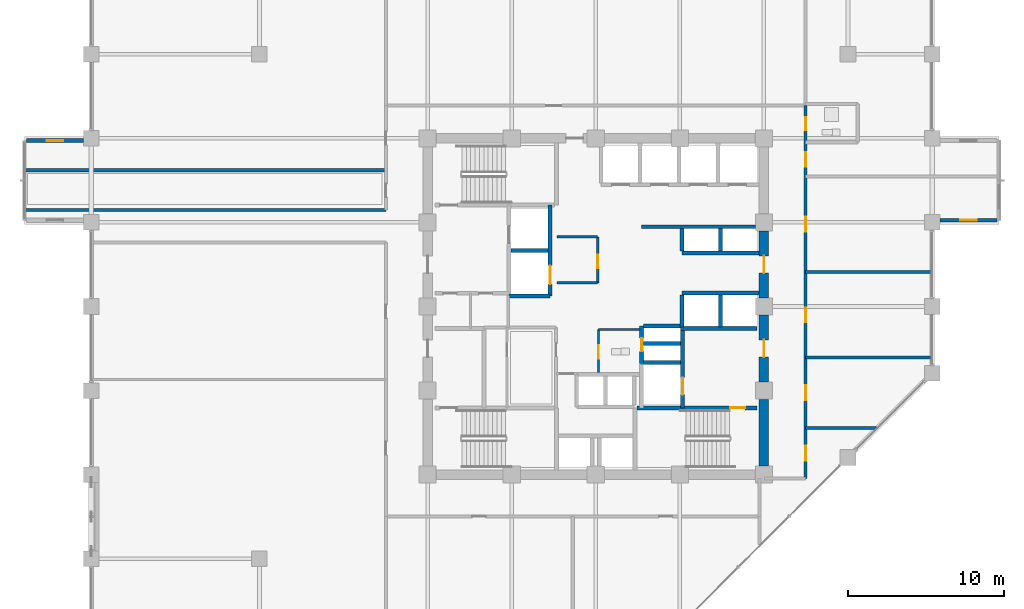
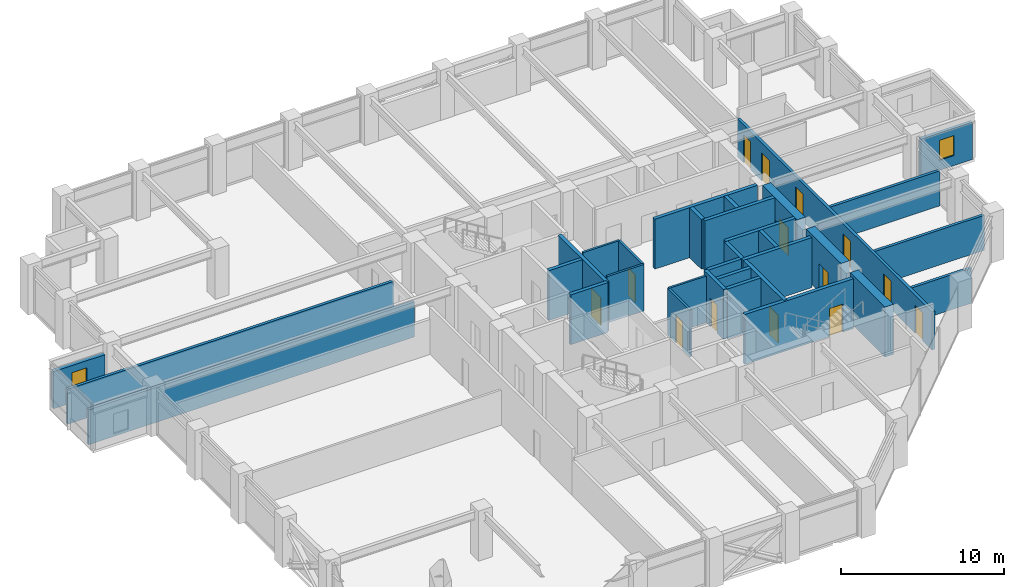
# One storey, part 23 of 29: 33 walls, 14 doors, 2 windows, 16 openings.
"""IFC4 building model written with IfcOpenShell, lengths in metres."""

from ifc_helpers import new_model, si_unit, direction, frame, frame_2d, origin, place, context, subcontext, project, spatial, rectangle, extrude, material, layer, layer_set, type_object, element, fill, save


model = new_model("IFC4")

# Units and contexts
model_context = context("Model", 3, precision=1e-05, world=origin(), true_north=direction((0.0, 1.0)))
body_context = subcontext(model_context, "Body", "Model", "MODEL_VIEW")
ifc_project = project(units=[si_unit("LENGTHUNIT", "METRE"), si_unit("AREAUNIT", "SQUARE_METRE"), si_unit("VOLUMEUNIT", "CUBIC_METRE"), si_unit("PLANEANGLEUNIT", "RADIAN"), si_unit("MASSUNIT", "GRAM", prefix="KILO")], contexts=[model_context])

# Site, building, storey
site_placement = place(None, origin())
site = spatial("IfcSite", under=ifc_project, at=site_placement, CompositionType="ELEMENT")
building_placement = place(site_placement, origin())
building = spatial("IfcBuilding", under=site, at=building_placement, Name="Surkhivell Harbour Commons", CompositionType="ELEMENT")
storey_placement = place(building_placement, frame((0.0, 0.0, 158.25)))
storey = spatial("IfcBuildingStorey", under=building, at=storey_placement, Name="L41", CompositionType="ELEMENT", Elevation=158.25)

# Wall
ifc_material_1 = material(Name="Concrete C60/75", Category="concrete")
ifc_layer_1 = layer(ifc_material_1, 0.60009765625)
ifc_layer_set_1 = layer_set([ifc_layer_1], Name="Concrete C60/75")
wall_type_1 = type_object("IfcWallType", Name="WAL-CORE-600", PredefinedType="SHEAR", material=ifc_layer_set_1)
wall_1_placement = place(storey_placement, frame((10.800048828125, -10.239990234375, 0.0), z_axis=(0.0, 0.0, 1.0), x_axis=(0.0, 1.0, 0.0)))
element("IfcWall", 1, at=wall_1_placement, inside=storey, type_object=wall_type_1, Name="L41 Core Shear Wall East 1", PredefinedType="SHEAR", context=body_context, shape_type="SweptSolid", body=[
    extrude(rectangle(XDim=4.280029296875, YDim=0.60009765625, at=frame_2d((2.14013671875, 0.0))), origin(), (0.0, 0.0, 1.0), 3.75),
])

# Wall, opening, door
wall_2_placement = place(storey_placement, frame((10.800048828125, -4.840087890625, 0.0), z_axis=(0.0, 0.0, 1.0), x_axis=(0.0, 1.0, 0.0)))
wall_2 = element("IfcWall", 2, at=wall_2_placement, inside=storey, type_object=wall_type_1, Name="L41 Core Shear Wall East 2", PredefinedType="SHEAR", context=body_context, shape_type="SweptSolid", body=[
    extrude(rectangle(XDim=4.280029296875, YDim=0.60009765625, at=frame_2d((2.14013671875, 0.0))), origin(), (0.0, 0.0, 1.0), 3.75),
])
opening_1_placement = place(wall_2_placement, frame((1.590087890625, 0.0, 0.0)))
opening_1 = element("IfcOpeningElement", 3, at=opening_1_placement, cuts=wall_2, Name="Opening ID-1", PredefinedType="OPENING", context=body_context, shape_type="SweptSolid", body=[
    extrude(rectangle(XDim=1.10009765625, YDim=2.10009765625, at=frame_2d((0.550048828125, 1.050048828125))), frame((0.0, 0.31005859375, 0.0), z_axis=(0.0, -1.0, 0.0), x_axis=(1.0, 0.0, 0.0)), (0.0, 0.0, 1.0), 0.6201171875),
])
ifc_material_2 = material(Name="Hardwood-veneered fire-rated door leaf", Category="wood")
door_type_1 = type_object("IfcDoorType", Name="DOR-FD120-1100", OperationType="NOTDEFINED", PredefinedType="DOOR", material=ifc_material_2)
door_1_placement = place(opening_1_placement, origin())
door_1 = element("IfcDoor", 4, at=door_1_placement, inside=storey, type_object=door_type_1, Name="L41 Firefighting Lobby 2 Corridor Door", OperationType="SINGLE_SWING_RIGHT", OverallHeight=2.10009765625, OverallWidth=1.10009765625, PredefinedType="DOOR", context=body_context, shape_type="SweptSolid", body=[
    extrude(rectangle(XDim=1.10009765625, YDim=2.10009765625, at=frame_2d((0.550048828125, 1.050048828125))), frame((0.0, 0.02490234375, 0.0), z_axis=(0.0, -1.0, 0.0), x_axis=(1.0, 0.0, 0.0)), (0.0, 0.0, 1.0), 0.050048828125),
])
fill(opening_1, door_1)

wall_3_placement = place(storey_placement, frame((10.800048828125, 0.56005859375, 0.0), z_axis=(0.0, 0.0, 1.0), x_axis=(0.0, 1.0, 0.0)))
wall_3 = element("IfcWall", 5, at=wall_3_placement, inside=storey, type_object=wall_type_1, Name="L41 Core Shear Wall East 3", PredefinedType="SHEAR", context=body_context, shape_type="SweptSolid", body=[
    extrude(rectangle(XDim=4.280029296875, YDim=0.60009765625, at=frame_2d((2.14013671875, 0.0))), origin(), (0.0, 0.0, 1.0), 3.75),
])
opening_2_placement = place(wall_3_placement, frame((1.590087890625, 0.0, 0.0)))
opening_2 = element("IfcOpeningElement", 6, at=opening_2_placement, cuts=wall_3, Name="Opening ID-2", PredefinedType="OPENING", context=body_context, shape_type="SweptSolid", body=[
    extrude(rectangle(XDim=1.10009765625, YDim=2.10009765625, at=frame_2d((0.550048828125, 1.050048828125))), frame((0.0, 0.31005859375, 0.0), z_axis=(0.0, -1.0, 0.0), x_axis=(1.0, 0.0, 0.0)), (0.0, 0.0, 1.0), 0.6201171875),
])
door_type_2 = type_object("IfcDoorType", Name="DOR-FD60-1100", OperationType="NOTDEFINED", PredefinedType="DOOR", material=ifc_material_2)
door_2_placement = place(opening_2_placement, origin())
door_2 = element("IfcDoor", 7, at=door_2_placement, inside=storey, type_object=door_type_2, Name="L41 Mid-Rise Lobby East Door", OperationType="SINGLE_SWING_LEFT", OverallHeight=2.10009765625, OverallWidth=1.10009765625, PredefinedType="DOOR", context=body_context, shape_type="SweptSolid", body=[
    extrude(rectangle(XDim=1.10009765625, YDim=2.10009765625, at=frame_2d((0.550048828125, 1.050048828125))), frame((0.0, 0.02490234375, 0.0), z_axis=(0.0, -1.0, 0.0), x_axis=(1.0, 0.0, 0.0)), (0.0, 0.0, 1.0), 0.050048828125),
])
fill(opening_2, door_2)

# Wall, opening, window
ifc_material_3 = material(Name="Bronze-ochre cassette precast concrete C45/55", Category="concrete")
ifc_layer_2 = layer(ifc_material_3, 0.239990234375)
ifc_layer_set_2 = layer_set([ifc_layer_2], Name="Bronze-ochre cassette precast concrete C45/55")
wall_type_2 = type_object("IfcWallType", Name="WAL-EXT-OCH240", PredefinedType="STANDARD", material=ifc_layer_set_2)
wall_4_placement = place(storey_placement, frame((22.10400390625, 5.5400390625, 0.0), z_axis=(0.0, 0.0, 1.0), x_axis=(1.0, 0.0, 0.0)))
wall_4 = element("IfcWall", 8, at=wall_4_placement, inside=storey, type_object=wall_type_2, Name="L41 Coloured Box Return Wall 01S", PredefinedType="STANDARD", context=body_context, shape_type="SweptSolid", body=[
    extrude(rectangle(XDim=3.656005859375, YDim=0.239990234375, at=frame_2d((1.828125, 0.0))), origin(), (0.0, 0.0, 1.0), 2.787109375),
])
opening_3_placement = place(wall_4_placement, frame((1.302978515625, 0.0, 0.75)))
opening_3 = element("IfcOpeningElement", 9, at=opening_3_placement, cuts=wall_4, Name="Opening WN-11", PredefinedType="OPENING", context=body_context, shape_type="SweptSolid", body=[
    extrude(rectangle(XDim=1.050048828125, YDim=1.5, at=frame_2d((0.52490234375, 0.75))), frame((0.0, 0.1298828125, 0.0), z_axis=(0.0, -1.0, 0.0), x_axis=(1.0, 0.0, 0.0)), (0.0, 0.0, 1.0), 0.260009765625),
])
ifc_material_4 = material(Name="Thermal-break aluminium frame and double low-E glazing", Category="aluminium")
window_type = type_object("IfcWindowType", Name="WIN-SER-1050x1500", PartitioningType="SINGLE_PANEL", PredefinedType="WINDOW", material=ifc_material_4)
window_1_placement = place(opening_3_placement, origin())
window_1 = element("IfcWindow", 10, at=window_1_placement, inside=storey, type_object=window_type, Name="L41 Coloured Box Return Window 01S", OverallHeight=1.5, OverallWidth=1.050048828125, PartitioningType="SINGLE_PANEL", PredefinedType="WINDOW", context=body_context, shape_type="SweptSolid", body=[
    extrude(rectangle(XDim=1.050048828125, YDim=1.5, at=frame_2d((0.52490234375, 0.75))), frame((0.0, 0.030029296875, 0.0), z_axis=(0.0, -1.0, 0.0), x_axis=(1.0, 0.0, 0.0)), (0.0, 0.0, 1.0), 0.06005859375),
])
fill(opening_3, window_1)

ifc_material_5 = material(Name="Terracotta-clad reinforced concrete C45/55", Category="masonry")
ifc_layer_3 = layer(ifc_material_5, 0.280029296875)
ifc_layer_set_3 = layer_set([ifc_layer_3], Name="Terracotta-clad reinforced concrete C45/55")
wall_type_3 = type_object("IfcWallType", Name="WAL-EXT-TER280", PredefinedType="STANDARD", material=ifc_layer_set_3)
wall_5_placement = place(storey_placement, frame((-36.56005859375, 10.659912109375, 0.0), z_axis=(0.0, 0.0, 1.0), x_axis=(1.0, 0.0, 0.0)))
wall_5 = element("IfcWall", 11, at=wall_5_placement, inside=storey, type_object=wall_type_3, Name="L41 Coloured Box Return Wall 02N", PredefinedType="STANDARD", context=body_context, shape_type="SweptSolid", body=[
    extrude(rectangle(XDim=3.656005859375, YDim=0.280029296875, at=frame_2d((1.828125, 0.0))), origin(), (0.0, 0.0, 1.0), 2.787109375),
])
opening_4_placement = place(wall_5_placement, frame((1.302978515625, 0.0, 0.75)))
opening_4 = element("IfcOpeningElement", 12, at=opening_4_placement, cuts=wall_5, Name="Opening WN-11", PredefinedType="OPENING", context=body_context, shape_type="SweptSolid", body=[
    extrude(rectangle(XDim=1.050048828125, YDim=1.5, at=frame_2d((0.52490234375, 0.75))), frame((0.0, 0.14990234375, 0.0), z_axis=(0.0, -1.0, 0.0), x_axis=(1.0, 0.0, 0.0)), (0.0, 0.0, 1.0), 0.300048828125),
])
window_2_placement = place(opening_4_placement, origin())
window_2 = element("IfcWindow", 13, at=window_2_placement, inside=storey, type_object=window_type, Name="L41 Coloured Box Return Window 02N", OverallHeight=1.5, OverallWidth=1.050048828125, PartitioningType="SINGLE_PANEL", PredefinedType="WINDOW", context=body_context, shape_type="SweptSolid", body=[
    extrude(rectangle(XDim=1.050048828125, YDim=1.5, at=frame_2d((0.52490234375, 0.75))), frame((0.0, 0.030029296875, 0.0), z_axis=(0.0, -1.0, 0.0), x_axis=(1.0, 0.0, 0.0)), (0.0, 0.0, 1.0), 0.06005859375),
])
fill(opening_4, window_2)

# Wall
ifc_material_6 = material(Name="Twin-stud acoustic fireboard partition", Category="other")
ifc_layer_4 = layer(ifc_material_6, 0.14990234375)
ifc_layer_set_4 = layer_set([ifc_layer_4], Name="Twin-stud acoustic fireboard partition")
wall_type_4 = type_object("IfcWallType", Name="WAL-INT-150", PredefinedType="PARTITIONING", material=ifc_layer_set_4)
wall_6_placement = place(storey_placement, frame((0.179931640625, -1.47998046875, 0.0), z_axis=(0.0, 0.0, 1.0), x_axis=(1.0, 0.0, 0.0)))
element("IfcWall", 14, at=wall_6_placement, inside=storey, type_object=wall_type_4, Name="L41 Core Accessible WC North Wall", PredefinedType="PARTITIONING", context=body_context, shape_type="SweptSolid", body=[
    extrude(rectangle(XDim=2.670166015625, YDim=0.14990234375, at=frame_2d((1.3349609375, 0.0))), origin(), (0.0, 0.0, 1.0), 3.5),
])

# Wall, opening, door
wall_7_placement = place(storey_placement, frame((0.179931640625, -4.25, 0.0), z_axis=(0.0, 0.0, 1.0), x_axis=(0.0, 1.0, 0.0)))
wall_7 = element("IfcWall", 15, at=wall_7_placement, inside=storey, type_object=wall_type_4, Name="L41 Core Accessible WC West Wall", PredefinedType="PARTITIONING", context=body_context, shape_type="SweptSolid", body=[
    extrude(rectangle(XDim=2.77001953125, YDim=0.14990234375, at=frame_2d((1.385009765625, 0.0))), origin(), (0.0, 0.0, 1.0), 3.5),
])
opening_5_placement = place(wall_7_placement, frame((0.89990234375, 0.0, 0.0)))
opening_5 = element("IfcOpeningElement", 16, at=opening_5_placement, cuts=wall_7, Name="Opening ID-6", PredefinedType="OPENING", context=body_context, shape_type="SweptSolid", body=[
    extrude(rectangle(XDim=0.85009765625, YDim=2.10009765625, at=frame_2d((0.425048828125, 1.050048828125))), frame((0.0, 0.0849609375, 0.0), z_axis=(0.0, -1.0, 0.0), x_axis=(1.0, 0.0, 0.0)), (0.0, 0.0, 1.0), 0.169921875),
])
door_type_3 = type_object("IfcDoorType", Name="DOR-FD30-850", OperationType="NOTDEFINED", PredefinedType="DOOR", material=ifc_material_2)
door_3_placement = place(opening_5_placement, origin())
door_3 = element("IfcDoor", 17, at=door_3_placement, inside=storey, type_object=door_type_3, Name="L41 Floor Accessible WC Door", OperationType="SINGLE_SWING_LEFT", OverallHeight=2.10009765625, OverallWidth=0.85009765625, PredefinedType="DOOR", context=body_context, shape_type="SweptSolid", body=[
    extrude(rectangle(XDim=0.85009765625, YDim=2.10009765625, at=frame_2d((0.425048828125, 1.050048828125))), frame((0.0, 0.02490234375, 0.0), z_axis=(0.0, -1.0, 0.0), x_axis=(1.0, 0.0, 0.0)), (0.0, 0.0, 1.0), 0.050048828125),
])
fill(opening_5, door_3)

wall_8_placement = place(storey_placement, frame((0.1201171875, 1.52001953125, 0.0), z_axis=(0.0, 0.0, 1.0), x_axis=(0.0, 1.0, 0.0)))
wall_8 = element("IfcWall", 18, at=wall_8_placement, inside=storey, type_object=wall_type_4, Name="L41 Central Reading East Wall", PredefinedType="PARTITIONING", context=body_context, shape_type="SweptSolid", body=[
    extrude(rectangle(XDim=2.9599609375, YDim=0.14990234375, at=frame_2d((1.47998046875, 0.0))), origin(), (0.0, 0.0, 1.0), 3.5),
])
opening_6_placement = place(wall_8_placement, frame((0.949951171875, 0.0, 0.0)))
opening_6 = element("IfcOpeningElement", 19, at=opening_6_placement, cuts=wall_8, Name="Opening ID-6", PredefinedType="OPENING", context=body_context, shape_type="SweptSolid", body=[
    extrude(rectangle(XDim=0.85009765625, YDim=2.10009765625, at=frame_2d((0.425048828125, 1.050048828125))), frame((0.0, 0.0849609375, 0.0), z_axis=(0.0, -1.0, 0.0), x_axis=(1.0, 0.0, 0.0)), (0.0, 0.0, 1.0), 0.169921875),
])
door_4_placement = place(opening_6_placement, origin())
door_4 = element("IfcDoor", 20, at=door_4_placement, inside=storey, type_object=door_type_3, Name="L41 Central Core Reading Door", OperationType="SINGLE_SWING_RIGHT", OverallHeight=2.10009765625, OverallWidth=0.85009765625, PredefinedType="DOOR", context=body_context, shape_type="SweptSolid", body=[
    extrude(rectangle(XDim=0.85009765625, YDim=2.10009765625, at=frame_2d((0.425048828125, 1.050048828125))), frame((0.0, 0.02490234375, 0.0), z_axis=(0.0, -1.0, 0.0), x_axis=(1.0, 0.0, 0.0)), (0.0, 0.0, 1.0), 0.050048828125),
])
fill(opening_6, door_4)

# Walls
for number, where, z_axis, x_axis, name in (
    (21, (-2.47998046875, 4.47998046875, 0.0), (0.0, 0.0, 1.0), (1.0, 0.0, 0.0), "L41 Central Reading North Wall"),
    (22, (-2.47998046875, 1.52001953125, 0.0), (0.0, 0.0, 1.0), (1.0, 0.0, 0.0), "L41 Central Reading South Wall"),
):
    element("IfcWall", number, at=place(storey_placement, frame(where, z_axis=z_axis, x_axis=x_axis)), inside=storey, type_object=wall_type_4, Name=name, PredefinedType="PARTITIONING", context=body_context, shape_type="SweptSolid", body=[
        extrude(rectangle(XDim=2.60009765625, YDim=0.14990234375, at=frame_2d((1.300048828125, 0.0))), origin(), (0.0, 0.0, 1.0), 3.5),
    ])

# Wall, openings, doors
ifc_material_7 = material(Name="Autoclaved aerated concrete blockwork and fire plaster", Category="masonry")
ifc_layer_5 = layer(ifc_material_7, 0.199951171875)
ifc_layer_set_5 = layer_set([ifc_layer_5], Name="Autoclaved aerated concrete blockwork and fire plaster")
wall_type_5 = type_object("IfcWallType", Name="WAL-INT-200", PredefinedType="PARTITIONING", material=ifc_layer_set_5)
wall_9_placement = place(storey_placement, frame((13.47998046875, -11.0400390625, 0.0), z_axis=(0.0, 0.0, 1.0), x_axis=(0.0, 1.0, 0.0)))
wall_9 = element("IfcWall", 23, at=wall_9_placement, inside=storey, type_object=wall_type_5, Name="L41 Corridor East Wall", PredefinedType="PARTITIONING", context=body_context, shape_type="SweptSolid", body=[
    extrude(rectangle(XDim=23.93994140625, YDim=0.199951171875, at=frame_2d((11.969970703125, 0.0))), origin(), (0.0, 0.0, 1.0), 2.863037109375),
])
opening_7_placement = place(wall_9_placement, frame((1.139892578125, 0.0, 0.0)))
opening_7 = element("IfcOpeningElement", 24, at=opening_7_placement, cuts=wall_9, Name="Opening ID-4", PredefinedType="OPENING", context=body_context, shape_type="SweptSolid", body=[
    extrude(rectangle(XDim=0.949951171875, YDim=2.10009765625, at=frame_2d((0.47509765625, 1.050048828125))), frame((0.0, 0.10986328125, 0.0), z_axis=(0.0, -1.0, 0.0), x_axis=(1.0, 0.0, 0.0)), (0.0, 0.0, 1.0), 0.219970703125),
])
opening_8_placement = place(wall_9_placement, frame((22.344970703125, 0.0, 0.0)))
opening_8 = element("IfcOpeningElement", 25, at=opening_8_placement, cuts=wall_9, Name="Opening ID-6", PredefinedType="OPENING", context=body_context, shape_type="SweptSolid", body=[
    extrude(rectangle(XDim=0.85009765625, YDim=2.10009765625, at=frame_2d((0.425048828125, 1.050048828125))), frame((0.0, 0.10986328125, 0.0), z_axis=(0.0, -1.0, 0.0), x_axis=(1.0, 0.0, 0.0)), (0.0, 0.0, 1.0), 0.219970703125),
])
opening_9_placement = place(wall_9_placement, frame((20.010009765625, 0.0, 0.0)))
opening_9 = element("IfcOpeningElement", 26, at=opening_9_placement, cuts=wall_9, Name="Opening ID-4", PredefinedType="OPENING", context=body_context, shape_type="SweptSolid", body=[
    extrude(rectangle(XDim=0.949951171875, YDim=2.10009765625, at=frame_2d((0.47509765625, 1.050048828125))), frame((0.0, 0.10986328125, 0.0), z_axis=(0.0, -1.0, 0.0), x_axis=(1.0, 0.0, 0.0)), (0.0, 0.0, 1.0), 0.219970703125),
])
opening_10_placement = place(wall_9_placement, frame((5.02001953125, 0.0, 0.0)))
opening_10 = element("IfcOpeningElement", 27, at=opening_10_placement, cuts=wall_9, Name="Opening ID-4", PredefinedType="OPENING", context=body_context, shape_type="SweptSolid", body=[
    extrude(rectangle(XDim=0.949951171875, YDim=2.10009765625, at=frame_2d((0.47509765625, 1.050048828125))), frame((0.0, 0.10986328125, 0.0), z_axis=(0.0, -1.0, 0.0), x_axis=(1.0, 0.0, 0.0)), (0.0, 0.0, 1.0), 0.219970703125),
])
opening_11_placement = place(wall_9_placement, frame((10.02490234375, 0.0, 0.0)))
opening_11 = element("IfcOpeningElement", 28, at=opening_11_placement, cuts=wall_9, Name="Opening ID-4", PredefinedType="OPENING", context=body_context, shape_type="SweptSolid", body=[
    extrude(rectangle(XDim=0.949951171875, YDim=2.10009765625, at=frame_2d((0.47509765625, 1.050048828125))), frame((0.0, 0.10986328125, 0.0), z_axis=(0.0, -1.0, 0.0), x_axis=(1.0, 0.0, 0.0)), (0.0, 0.0, 1.0), 0.219970703125),
])
opening_12_placement = place(wall_9_placement, frame((15.840087890625, 0.0, 0.0)))
opening_12 = element("IfcOpeningElement", 29, at=opening_12_placement, cuts=wall_9, Name="Opening ID-4", PredefinedType="OPENING", context=body_context, shape_type="SweptSolid", body=[
    extrude(rectangle(XDim=0.949951171875, YDim=2.10009765625, at=frame_2d((0.47509765625, 1.050048828125))), frame((0.0, 0.10986328125, 0.0), z_axis=(0.0, -1.0, 0.0), x_axis=(1.0, 0.0, 0.0)), (0.0, 0.0, 1.0), 0.219970703125),
])
door_5_placement = place(opening_8_placement, origin())
door_5 = element("IfcDoor", 30, at=door_5_placement, inside=storey, type_object=door_type_3, Name="L41 Communal Shower Bathroom East Door", OperationType="SINGLE_SWING_LEFT", OverallHeight=2.10009765625, OverallWidth=0.85009765625, PredefinedType="DOOR", context=body_context, shape_type="SweptSolid", body=[
    extrude(rectangle(XDim=0.85009765625, YDim=2.10009765625, at=frame_2d((0.425048828125, 1.050048828125))), frame((0.0, 0.02490234375, 0.0), z_axis=(0.0, -1.0, 0.0), x_axis=(1.0, 0.0, 0.0)), (0.0, 0.0, 1.0), 0.050048828125),
])
fill(opening_8, door_5)
door_type_4 = type_object("IfcDoorType", Name="DOR-FD60-950", OperationType="NOTDEFINED", PredefinedType="DOOR", material=ifc_material_2)
door_6_placement = place(opening_7_placement, origin())
door_6 = element("IfcDoor", 31, at=door_6_placement, inside=storey, type_object=door_type_4, Name="L41 Shared Communal Kitchen East Door", OperationType="SINGLE_SWING_RIGHT", OverallHeight=2.10009765625, OverallWidth=0.949951171875, PredefinedType="DOOR", context=body_context, shape_type="SweptSolid", body=[
    extrude(rectangle(XDim=0.949951171875, YDim=2.10009765625, at=frame_2d((0.47509765625, 1.050048828125))), frame((0.0, 0.02490234375, 0.0), z_axis=(0.0, -1.0, 0.0), x_axis=(1.0, 0.0, 0.0)), (0.0, 0.0, 1.0), 0.050048828125),
])
fill(opening_7, door_6)
door_7_placement = place(opening_9_placement, origin())
door_7 = element("IfcDoor", 32, at=door_7_placement, inside=storey, type_object=door_type_4, Name="L41 Academic Reading Commons East Door", OperationType="SINGLE_SWING_RIGHT", OverallHeight=2.10009765625, OverallWidth=0.949951171875, PredefinedType="DOOR", context=body_context, shape_type="SweptSolid", body=[
    extrude(rectangle(XDim=0.949951171875, YDim=2.10009765625, at=frame_2d((0.47509765625, 1.050048828125))), frame((0.0, 0.02490234375, 0.0), z_axis=(0.0, -1.0, 0.0), x_axis=(1.0, 0.0, 0.0)), (0.0, 0.0, 1.0), 0.050048828125),
])
fill(opening_9, door_7)
door_8_placement = place(opening_10_placement, origin())
door_8 = element("IfcDoor", 33, at=door_8_placement, inside=storey, type_object=door_type_4, Name="L41 Hostel Cluster Bedroom 1 East Door", OperationType="SINGLE_SWING_LEFT", OverallHeight=2.10009765625, OverallWidth=0.949951171875, PredefinedType="DOOR", context=body_context, shape_type="SweptSolid", body=[
    extrude(rectangle(XDim=0.949951171875, YDim=2.10009765625, at=frame_2d((0.47509765625, 1.050048828125))), frame((0.0, 0.02490234375, 0.0), z_axis=(0.0, -1.0, 0.0), x_axis=(1.0, 0.0, 0.0)), (0.0, 0.0, 1.0), 0.050048828125),
])
fill(opening_10, door_8)
door_9_placement = place(opening_11_placement, origin())
door_9 = element("IfcDoor", 34, at=door_9_placement, inside=storey, type_object=door_type_4, Name="L41 Co-Living Dormitory Bedroom 2 East Door", OperationType="SINGLE_SWING_RIGHT", OverallHeight=2.10009765625, OverallWidth=0.949951171875, PredefinedType="DOOR", context=body_context, shape_type="SweptSolid", body=[
    extrude(rectangle(XDim=0.949951171875, YDim=2.10009765625, at=frame_2d((0.47509765625, 1.050048828125))), frame((0.0, 0.02490234375, 0.0), z_axis=(0.0, -1.0, 0.0), x_axis=(1.0, 0.0, 0.0)), (0.0, 0.0, 1.0), 0.050048828125),
])
fill(opening_11, door_9)
door_10_placement = place(opening_12_placement, origin())
door_10 = element("IfcDoor", 35, at=door_10_placement, inside=storey, type_object=door_type_4, Name="L41 Hostel Cluster Bedroom 3 East Door", OperationType="SINGLE_SWING_LEFT", OverallHeight=2.10009765625, OverallWidth=0.949951171875, PredefinedType="DOOR", context=body_context, shape_type="SweptSolid", body=[
    extrude(rectangle(XDim=0.949951171875, YDim=2.10009765625, at=frame_2d((0.47509765625, 1.050048828125))), frame((0.0, 0.02490234375, 0.0), z_axis=(0.0, -1.0, 0.0), x_axis=(1.0, 0.0, 0.0)), (0.0, 0.0, 1.0), 0.050048828125),
])
fill(opening_12, door_10)

# Walls
wall_10_placement = place(storey_placement, frame((-36.639892578125, 6.199951171875, 0.0), z_axis=(0.0, 0.0, 1.0), x_axis=(1.0, 0.0, 0.0)))
element("IfcWall", 36, at=wall_10_placement, inside=storey, type_object=wall_type_5, Name="L41 West Alcove North Wall", PredefinedType="PARTITIONING", context=body_context, shape_type="SweptSolid", body=[
    extrude(rectangle(XDim=23.159912109375, YDim=0.199951171875, at=frame_2d((11.580078125, 0.0))), origin(), (0.0, 0.0, 1.0), 2.62890625),
])
for number, where, z_axis, x_axis, name in (
    (37, (13.47998046875, -3.280029296875, 0.0), (0.0, 0.0, 1.0), (1.0, 0.0, 0.0), "L41 East Partition BDP1"),
    (38, (13.47998046875, 2.2099609375, 0.0), (0.0, 0.0, 1.0), (1.0, 0.0, 0.0), "L41 East Partition BDP2"),
):
    element("IfcWall", number, at=place(storey_placement, frame(where, z_axis=z_axis, x_axis=x_axis)), inside=storey, type_object=wall_type_5, Name=name, PredefinedType="PARTITIONING", context=body_context, shape_type="SweptSolid", body=[
        extrude(rectangle(XDim=8.06005859375, YDim=0.199951171875, at=frame_2d((4.030029296875, 0.0))), origin(), (0.0, 0.0, 1.0), 2.62890625),
    ])
wall_11_placement = place(storey_placement, frame((13.47998046875, -7.800048828125, 0.0), z_axis=(0.0, 0.0, 1.0), x_axis=(1.0, 0.0, 0.0)))
element("IfcWall", 39, at=wall_11_placement, inside=storey, type_object=wall_type_5, Name="L41 East Partition PBOT", PredefinedType="PARTITIONING", context=body_context, shape_type="SweptSolid", body=[
    extrude(rectangle(XDim=4.53515625, YDim=0.199951171875, at=frame_2d((2.267578125, 0.0))), origin(), (0.0, 0.0, 1.0), 2.62890625),
])
wall_12_placement = place(storey_placement, frame((-36.639892578125, 8.75, 0.0), z_axis=(0.0, 0.0, 1.0), x_axis=(1.0, 0.0, 0.0)))
element("IfcWall", 40, at=wall_12_placement, inside=storey, type_object=wall_type_5, Name="L41 North-West Partition P1", PredefinedType="PARTITIONING", context=body_context, shape_type="SweptSolid", body=[
    extrude(rectangle(XDim=23.159912109375, YDim=0.199951171875, at=frame_2d((11.580078125, 0.0))), origin(), (0.0, 0.0, 1.0), 2.62890625),
])
ifc_material_8 = material(Name="Concrete C50/60", Category="concrete")
ifc_layer_6 = layer(ifc_material_8, 0.25)
ifc_layer_set_6 = layer_set([ifc_layer_6], Name="Concrete C50/60")
wall_type_6 = type_object("IfcWallType", Name="WAL-SHAFT-250", PredefinedType="SHEAR", material=ifc_layer_set_6)
wall_13_placement = place(storey_placement, frame((5.43994140625, -1.419921875, 0.0), z_axis=(0.0, 0.0, 1.0), x_axis=(1.0, 0.0, 0.0)))
element("IfcWall", 41, at=wall_13_placement, inside=storey, type_object=wall_type_6, Name="L41 Firefighting Lobby 2 North Wall", PredefinedType="SHEAR", context=body_context, shape_type="SweptSolid", body=[
    extrude(rectangle(XDim=4.900146484375, YDim=0.25, at=frame_2d((2.4501953125, 0.0))), origin(), (0.0, 0.0, 1.0), 3.75),
])
wall_14_placement = place(storey_placement, frame((3.080078125, -3.60009765625, 0.0), z_axis=(0.0, 0.0, 1.0), x_axis=(1.0, 0.0, 0.0)))
element("IfcWall", 42, at=wall_14_placement, inside=storey, type_object=wall_type_6, Name="L41 FFL2 North Shaft Wall", PredefinedType="SHEAR", context=body_context, shape_type="SweptSolid", body=[
    extrude(rectangle(XDim=2.369873046875, YDim=0.25, at=frame_2d((1.18505859375, 0.0))), origin(), (0.0, 0.0, 1.0), 3.75),
])

# Wall, opening, door
wall_15_placement = place(storey_placement, frame((5.580078125, -6.510009765625, 0.0), z_axis=(0.0, 0.0, 1.0), x_axis=(0.0, 1.0, 0.0)))
wall_15 = element("IfcWall", 43, at=wall_15_placement, inside=storey, type_object=wall_type_6, Name="L41 Firefighting Lobby 2 West Shaft Wall", PredefinedType="SHEAR", context=body_context, shape_type="SweptSolid", body=[
    extrude(rectangle(XDim=5.090087890625, YDim=0.25, at=frame_2d((2.544921875, 0.0))), origin(), (0.0, 0.0, 1.0), 3.75),
])
opening_13_placement = place(wall_15_placement, frame((0.85009765625, 0.0, 0.0)))
opening_13 = element("IfcOpeningElement", 44, at=opening_13_placement, cuts=wall_15, Name="Opening LD-1", PredefinedType="OPENING", context=body_context, shape_type="SweptSolid", body=[
    extrude(rectangle(XDim=1.10009765625, YDim=2.10009765625, at=frame_2d((0.550048828125, 1.050048828125))), frame((0.0, 0.135009765625, 0.0), z_axis=(0.0, -1.0, 0.0), x_axis=(1.0, 0.0, 0.0)), (0.0, 0.0, 1.0), 0.27001953125),
])
ifc_material_9 = material(Name="Brushed stainless steel S355", Category="steel")
door_type_5 = type_object("IfcDoorType", Name="DOR-LD-1100", OperationType="SLIDING_TO_LEFT", PredefinedType="DOOR", material=ifc_material_9)
door_11_placement = place(opening_13_placement, origin())
door_11 = element("IfcDoor", 45, at=door_11_placement, inside=storey, type_object=door_type_5, Name="L41 Lift Landing Door LD-FFL2", OperationType="SLIDING_TO_RIGHT", OverallHeight=2.10009765625, OverallWidth=1.10009765625, PredefinedType="DOOR", context=body_context, shape_type="SweptSolid", body=[
    extrude(rectangle(XDim=1.10009765625, YDim=2.10009765625, at=frame_2d((0.550048828125, 1.050048828125))), frame((0.0, 0.02490234375, 0.0), z_axis=(0.0, -1.0, 0.0), x_axis=(1.0, 0.0, 0.0)), (0.0, 0.0, 1.0), 0.050048828125),
])
fill(opening_13, door_11)

# Walls
wall_16_placement = place(storey_placement, frame((2.949951171875, 5.1201171875, 0.0), z_axis=(0.0, 0.0, 1.0), x_axis=(1.0, 0.0, 0.0)))
element("IfcWall", 46, at=wall_16_placement, inside=storey, type_object=wall_type_6, Name="L41 Low-Rise Lobby South Wall", PredefinedType="SHEAR", context=body_context, shape_type="SweptSolid", body=[
    extrude(rectangle(XDim=7.300048828125, YDim=0.25, at=frame_2d((3.64990234375, 0.0))), origin(), (0.0, 0.0, 1.0), 3.75),
])
for number, where, z_axis, x_axis, name in (
    (47, (5.550048828125, 3.550048828125, 0.0), (0.0, 0.0, 1.0), (0.0, 1.0, 0.0), "L41 Mid-Rise Shaft Side Wall N"),
    (48, (8.0, 3.550048828125, 0.0), (0.0, 0.0, 1.0), (0.0, 1.0, 0.0), "L41 Mid-Rise Shaft Side Wall N"),
):
    element("IfcWall", number, at=place(storey_placement, frame(where, z_axis=z_axis, x_axis=x_axis)), inside=storey, type_object=wall_type_6, Name=name, PredefinedType="SHEAR", context=body_context, shape_type="SweptSolid", body=[
        extrude(rectangle(XDim=1.449951171875, YDim=0.25, at=frame_2d((0.72509765625, 0.0))), origin(), (0.0, 0.0, 1.0), 3.75),
    ])
for number, where, z_axis, x_axis, name in (
    (49, (5.550048828125, -1.300048828125, 0.0), (0.0, 0.0, 1.0), (0.0, 1.0, 0.0), "L41 Mid-Rise Shaft Side Wall S"),
    (50, (8.0, -1.300048828125, 0.0), (0.0, 0.0, 1.0), (0.0, 1.0, 0.0), "L41 Mid-Rise Shaft Side Wall S"),
):
    element("IfcWall", number, at=place(storey_placement, frame(where, z_axis=z_axis, x_axis=x_axis)), inside=storey, type_object=wall_type_6, Name=name, PredefinedType="SHEAR", context=body_context, shape_type="SweptSolid", body=[
        extrude(rectangle(XDim=2.0400390625, YDim=0.25, at=frame_2d((1.02001953125, 0.0))), origin(), (0.0, 0.0, 1.0), 3.75),
    ])
for number, where, z_axis, x_axis, name in (
    (51, (5.550048828125, 3.429931640625, 0.0), (0.0, 0.0, 1.0), (1.0, 0.0, 0.0), "L41 Mid-Rise North Front Shaft Wall"),
    (52, (5.550048828125, 0.8701171875, 0.0), (0.0, 0.0, 1.0), (1.0, 0.0, 0.0), "L41 Mid-Rise South Front Shaft Wall"),
):
    element("IfcWall", number, at=place(storey_placement, frame(where, z_axis=z_axis, x_axis=x_axis)), inside=storey, type_object=wall_type_6, Name=name, PredefinedType="SHEAR", context=body_context, shape_type="SweptSolid", body=[
        extrude(rectangle(XDim=4.949951171875, YDim=0.25, at=frame_2d((2.47509765625, 0.0))), origin(), (0.0, 0.0, 1.0), 3.75),
    ])
for number, where, z_axis, x_axis, name in (
    (53, (3.080078125, -2.3798828125, 0.0), (0.0, 0.0, 1.0), (1.0, 0.0, 0.0), "L41 Riser Divider Wall"),
    (54, (3.080078125, -1.25, 0.0), (0.0, 0.0, 1.0), (1.0, 0.0, 0.0), "L41 Riser North Wall"),
):
    element("IfcWall", number, at=place(storey_placement, frame(where, z_axis=z_axis, x_axis=x_axis)), inside=storey, type_object=wall_type_6, Name=name, PredefinedType="SHEAR", context=body_context, shape_type="SweptSolid", body=[
        extrude(rectangle(XDim=2.369873046875, YDim=0.25, at=frame_2d((1.18505859375, 0.0))), origin(), (0.0, 0.0, 1.0), 3.75),
    ])

# Wall, opening, door
wall_17_placement = place(storey_placement, frame((2.949951171875, -3.64990234375, 0.0), z_axis=(0.0, 0.0, 1.0), x_axis=(0.0, 1.0, 0.0)))
wall_17 = element("IfcWall", 55, at=wall_17_placement, inside=storey, type_object=wall_type_6, Name="L41 Riser Shaft West Wall", PredefinedType="SHEAR", context=body_context, shape_type="SweptSolid", body=[
    extrude(rectangle(XDim=2.39990234375, YDim=0.25, at=frame_2d((1.199951171875, 0.0))), origin(), (0.0, 0.0, 1.0), 3.75),
])
opening_14_placement = place(wall_17_placement, frame((0.77490234375, 0.0, 0.0)))
opening_14 = element("IfcOpeningElement", 56, at=opening_14_placement, cuts=wall_17, Name="Opening ID-6", PredefinedType="OPENING", context=body_context, shape_type="SweptSolid", body=[
    extrude(rectangle(XDim=0.85009765625, YDim=2.10009765625, at=frame_2d((0.425048828125, 1.050048828125))), frame((0.0, 0.135009765625, 0.0), z_axis=(0.0, -1.0, 0.0), x_axis=(1.0, 0.0, 0.0)), (0.0, 0.0, 1.0), 0.27001953125),
])
door_12_placement = place(opening_14_placement, origin())
door_12 = element("IfcDoor", 57, at=door_12_placement, inside=storey, type_object=door_type_3, Name="L41 Electrical Riser Access Door", OperationType="SINGLE_SWING_LEFT", OverallHeight=2.10009765625, OverallWidth=0.85009765625, PredefinedType="DOOR", context=body_context, shape_type="SweptSolid", body=[
    extrude(rectangle(XDim=0.85009765625, YDim=2.10009765625, at=frame_2d((0.425048828125, 1.050048828125))), frame((0.0, 0.02490234375, 0.0), z_axis=(0.0, -1.0, 0.0), x_axis=(1.0, 0.0, 0.0)), (0.0, 0.0, 1.0), 0.050048828125),
])
fill(opening_14, door_12)

wall_18_placement = place(storey_placement, frame((2.639892578125, -6.510009765625, 0.0), z_axis=(0.0, 0.0, 1.0), x_axis=(1.0, 0.0, 0.0)))
wall_18 = element("IfcWall", 58, at=wall_18_placement, inside=storey, type_object=wall_type_6, Name="L41 Stair ST2 North Shear Wall", PredefinedType="SHEAR", context=body_context, shape_type="SweptSolid", body=[
    extrude(rectangle(XDim=7.7001953125, YDim=0.25, at=frame_2d((3.85009765625, 0.0))), origin(), (0.0, 0.0, 1.0), 3.75),
])
opening_15_placement = place(wall_18_placement, frame((6.0, 0.0, 0.0)))
opening_15 = element("IfcOpeningElement", 59, at=opening_15_placement, cuts=wall_18, Name="Opening ID-4", PredefinedType="OPENING", context=body_context, shape_type="SweptSolid", body=[
    extrude(rectangle(XDim=0.949951171875, YDim=2.10009765625, at=frame_2d((0.47509765625, 1.050048828125))), frame((0.0, 0.135009765625, 0.0), z_axis=(0.0, -1.0, 0.0), x_axis=(1.0, 0.0, 0.0)), (0.0, 0.0, 1.0), 0.27001953125),
])
door_13_placement = place(opening_15_placement, origin())
door_13 = element("IfcDoor", 60, at=door_13_placement, inside=storey, type_object=door_type_4, Name="L41 Stair ST2 Exit Door", OperationType="SINGLE_SWING_RIGHT", OverallHeight=2.10009765625, OverallWidth=0.949951171875, PredefinedType="DOOR", context=body_context, shape_type="SweptSolid", body=[
    extrude(rectangle(XDim=0.949951171875, YDim=2.10009765625, at=frame_2d((0.47509765625, 1.050048828125))), frame((0.0, 0.02490234375, 0.0), z_axis=(0.0, -1.0, 0.0), x_axis=(1.0, 0.0, 0.0)), (0.0, 0.0, 1.0), 0.050048828125),
])
fill(opening_15, door_13)

wall_19_placement = place(storey_placement, frame((-2.929931640625, 0.679931640625, 0.0), z_axis=(0.0, 0.0, 1.0), x_axis=(0.0, 1.0, 0.0)))
wall_19 = element("IfcWall", 61, at=wall_19_placement, inside=storey, type_object=wall_type_6, Name="L41 Service and Fire Lift East Shaft Wall", PredefinedType="SHEAR", context=body_context, shape_type="SweptSolid", body=[
    extrude(rectangle(XDim=5.830078125, YDim=0.25, at=frame_2d((2.9150390625, 0.0))), origin(), (0.0, 0.0, 1.0), 3.75),
])
opening_16_placement = place(wall_19_placement, frame((0.75, 0.0, 0.0)))
opening_16 = element("IfcOpeningElement", 62, at=opening_16_placement, cuts=wall_19, Name="Opening LD-2", PredefinedType="OPENING", context=body_context, shape_type="SweptSolid", body=[
    extrude(rectangle(XDim=1.199951171875, YDim=2.10009765625, at=frame_2d((0.60009765625, 1.050048828125))), frame((0.0, 0.135009765625, 0.0), z_axis=(0.0, -1.0, 0.0), x_axis=(1.0, 0.0, 0.0)), (0.0, 0.0, 1.0), 0.27001953125),
])
door_type_6 = type_object("IfcDoorType", Name="DOR-LD-1200", OperationType="SLIDING_TO_LEFT", PredefinedType="DOOR", material=ifc_material_9)
door_14_placement = place(opening_16_placement, origin())
door_14 = element("IfcDoor", 63, at=door_14_placement, inside=storey, type_object=door_type_6, Name="L41 Lift Landing Door LD-SVL1", OperationType="SLIDING_TO_LEFT", OverallHeight=2.10009765625, OverallWidth=1.199951171875, PredefinedType="DOOR", context=body_context, shape_type="SweptSolid", body=[
    extrude(rectangle(XDim=1.199951171875, YDim=2.10009765625, at=frame_2d((0.60009765625, 1.050048828125))), frame((0.0, 0.02490234375, 0.0), z_axis=(0.0, -1.0, 0.0), x_axis=(1.0, 0.0, 0.0)), (0.0, 0.0, 1.0), 0.050048828125),
])
fill(opening_16, door_14)

# Walls
wall_20_placement = place(storey_placement, frame((-5.449951171875, 3.60009765625, 0.0), z_axis=(0.0, 0.0, 1.0), x_axis=(1.0, 0.0, 0.0)))
element("IfcWall", 64, at=wall_20_placement, inside=storey, type_object=wall_type_6, Name="L41 FFL1/SVL1 Shaft Divider", PredefinedType="SHEAR", context=body_context, shape_type="SweptSolid", body=[
    extrude(rectangle(XDim=2.389892578125, YDim=0.25, at=frame_2d((1.19482421875, 0.0))), origin(), (0.0, 0.0, 1.0), 3.75),
])
wall_21_placement = place(storey_placement, frame((-5.580078125, 0.679931640625, 0.0), z_axis=(0.0, 0.0, 1.0), x_axis=(1.0, 0.0, 0.0)))
element("IfcWall", 65, at=wall_21_placement, inside=storey, type_object=wall_type_6, Name="L41 SVL1 South Shaft Wall", PredefinedType="SHEAR", context=body_context, shape_type="SweptSolid", body=[
    extrude(rectangle(XDim=2.650146484375, YDim=0.25, at=frame_2d((1.3251953125, 0.0))), origin(), (0.0, 0.0, 1.0), 3.75),
])

save(model, "model.ifc")
